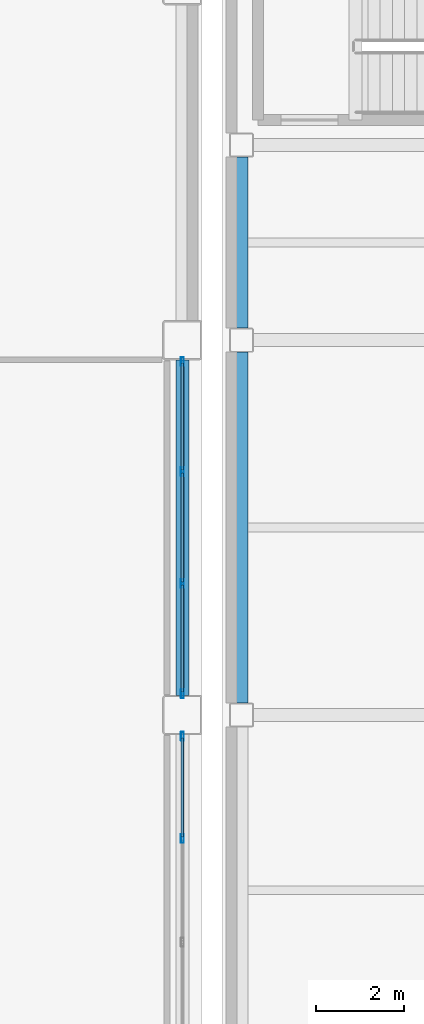
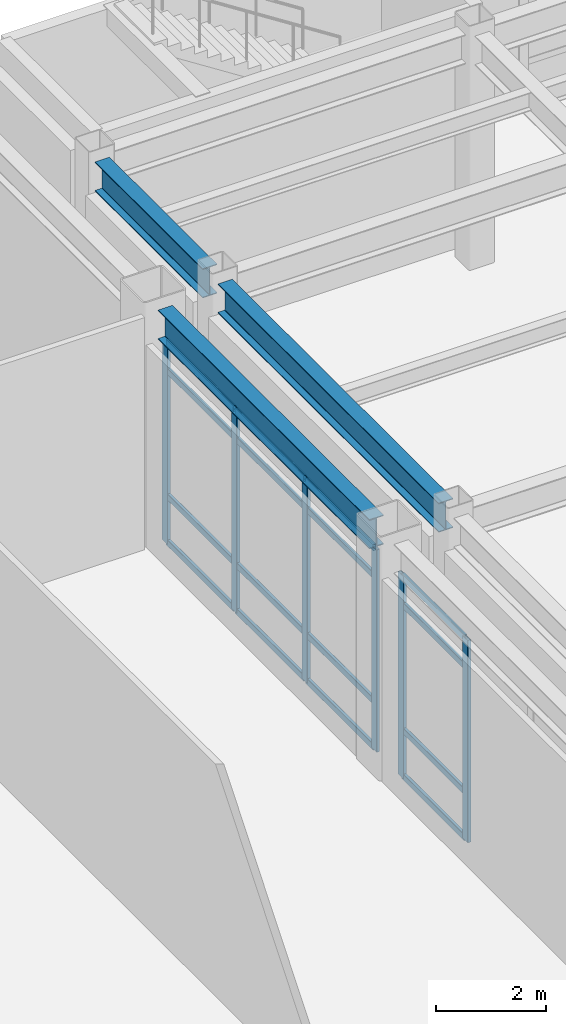
# One storey, part 67 of 165: 22 members, 3 beams, 2 elements without a shape of their own.
"""IFC4 building model written with IfcOpenShell, lengths in metres."""

import ifcopenshell
import ifcopenshell.guid

model = None  # the IFC model being written
_history = None  # IfcOwnerHistory: only IFC2X3 demands one
_inside = {}  # id of a spatial element -> (the spatial element, [elements in it])
_under = {}  # id of a project, library or spatial element -> (it, [spatial elements below it])
_declared = {}  # id of a project -> (the project, [libraries it declares])
_typed = {}  # id of a type object -> (the type object, [elements of that type])
_made_of = {}  # id of a material, layer set ... -> (it, [elements and type objects made of it])


def new_model(schema):
    """Start an empty IFC model of exactly this schema.

    Asked for "IFC4X3", IfcOpenShell would pick the latest addendum, in which some entities
    have other attributes; the version numbers below select the first issue.
    IFC2X3 requires an IfcOwnerHistory on every rooted entity: one is made here for all.
    """
    global model, _history
    if schema == "IFC4X3":
        model = ifcopenshell.file(schema_version=(4, 3, 0, 0))
    else:
        model = ifcopenshell.file(schema=schema)
    _inside.clear()
    _under.clear()
    _declared.clear()
    _typed.clear()
    _made_of.clear()
    _history = None
    if model.schema == "IFC2X3":
        org = make("IfcOrganization", Name="unknown")
        user = make(
            "IfcPersonAndOrganization",
            ThePerson=make("IfcPerson", FamilyName="unknown"),
            TheOrganization=org,
        )
        app = make(
            "IfcApplication",
            ApplicationDeveloper=org,
            Version="unknown",
            ApplicationFullName="unknown",
            ApplicationIdentifier="unknown",
        )
        _history = make(
            "IfcOwnerHistory",
            OwningUser=user,
            OwningApplication=app,
            ChangeAction="ADDED",
            CreationDate=0,
        )
    return model


def make(cls, **values):
    """One entity of the class cls with the attributes given. An attribute that is None is left unset."""
    return model.create_entity(
        cls, **{name: value for name, value in values.items() if value is not None}
    )


def rooted(cls, **values):
    """An entity with a GlobalId (a new one), such as an element, a storey or a relation."""
    return make(cls, GlobalId=ifcopenshell.guid.new(), OwnerHistory=_history, **values)


def si_unit(unit_type, name, prefix=None):
    """IfcSIUnit, for example si_unit("LENGTHUNIT", "METRE", prefix="MILLI")."""
    return make("IfcSIUnit", UnitType=unit_type, Prefix=prefix, Name=name)


def assignment(units):
    """IfcUnitAssignment: the units of a project."""
    return None if units is None else make("IfcUnitAssignment", Units=units)


def point(xyz):
    """IfcCartesianPoint."""
    return None if xyz is None else make("IfcCartesianPoint", Coordinates=xyz)


def direction(xyz):
    """IfcDirection."""
    return None if xyz is None else make("IfcDirection", DirectionRatios=xyz)


def frame(location, z_axis=None, x_axis=None):
    """IfcAxis2Placement3D, a coordinate frame: its origin and axes. An axis left out is left unset."""
    return make(
        "IfcAxis2Placement3D",
        Location=point(location),
        Axis=direction(z_axis),
        RefDirection=direction(x_axis),
    )


def frame_2d(location, x_axis=None):
    """IfcAxis2Placement2D, a coordinate frame in the plane: its origin and x axis."""
    return make(
        "IfcAxis2Placement2D", Location=point(location), RefDirection=direction(x_axis)
    )


def origin():
    """The frame at (0, 0, 0) with its axes left unset."""
    return frame((0.0, 0.0, 0.0))


def origin_2d():
    """The frame at (0, 0) in the plane with its x axis left unset."""
    return frame_2d((0.0, 0.0))


def place(relative_to, where):
    """IfcLocalPlacement: puts the frame where relative to a parent placement (None: the world)."""
    return make(
        "IfcLocalPlacement", PlacementRelTo=relative_to, RelativePlacement=where
    )


def context(
    kind, dimensions, precision=None, world=None, true_north=None, identifier=None
):
    """IfcGeometricRepresentationContext, for example the 3D "Model" context."""
    return make(
        "IfcGeometricRepresentationContext",
        ContextIdentifier=identifier,
        ContextType=kind,
        CoordinateSpaceDimension=dimensions,
        Precision=precision,
        WorldCoordinateSystem=world,
        TrueNorth=true_north,
    )


def subcontext(parent, identifier, kind, view, scale=None):
    """IfcGeometricRepresentationSubContext, for example "Body" below "Model"."""
    return make(
        "IfcGeometricRepresentationSubContext",
        ContextIdentifier=identifier,
        ContextType=kind,
        ParentContext=parent,
        TargetScale=scale,
        TargetView=view,
    )


def project(units=None, contexts=None):
    """IfcProject with its units and contexts."""
    return rooted(
        "IfcProject",
        Name="project",
        RepresentationContexts=contexts,
        UnitsInContext=assignment(units),
    )


def spatial(cls, under=None, at=None, **own):
    """A site, building, storey or space (cls), placed at a placement, below another one or the project."""
    s = rooted(cls, ObjectPlacement=at, **own)
    if under is not None:
        _under.setdefault(under.id(), (under, []))[1].append(s)
    return s


def profile(cls, at=None, kind="AREA", **sizes):
    """A parametric profile (cls). Its sizes go by their IFC names, for example OverallWidth=200.0."""
    return make(cls, ProfileType=kind, Position=at, **sizes)


def hollow_rectangle(**sizes):
    """IfcRectangleHollowProfileDef."""
    return profile("IfcRectangleHollowProfileDef", **sizes)


def i_section(**sizes):
    """IfcIShapeProfileDef."""
    return profile("IfcIShapeProfileDef", **sizes)


def extrude(swept, where, along, depth):
    """IfcExtrudedAreaSolid: the profile swept, set in the frame where, extruded along a direction by depth."""
    return make(
        "IfcExtrudedAreaSolid",
        SweptArea=swept,
        Position=where,
        ExtrudedDirection=direction(along),
        Depth=depth,
    )


def shape(context_of_items, identifier, shape_type, items):
    """IfcShapeRepresentation: the items that make up one representation, for example the "Body"."""
    return make(
        "IfcShapeRepresentation",
        ContextOfItems=context_of_items,
        RepresentationIdentifier=identifier,
        RepresentationType=shape_type,
        Items=items,
    )


def material(Name=None, Category=None):
    """IfcMaterial."""
    return make("IfcMaterial", Name=Name, Category=Category)


def layer(
    of_material, thickness, ventilated=None, Name=None, Category=None, Priority=None
):
    """IfcMaterialLayer: one layer of a wall or slab, of a material (None: an air gap)."""
    return make(
        "IfcMaterialLayer",
        Material=of_material,
        LayerThickness=thickness,
        IsVentilated=ventilated,
        Name=Name,
        Category=Category,
        Priority=Priority,
    )


def layer_set(layers, Name=None):
    """IfcMaterialLayerSet."""
    return make("IfcMaterialLayerSet", MaterialLayers=layers, LayerSetName=Name)


def material_profile(
    of_material, cross_section, Name=None, Category=None, Priority=None
):
    """IfcMaterialProfile: a cross section and its material."""
    return make(
        "IfcMaterialProfile",
        Name=Name,
        Material=of_material,
        Profile=cross_section,
        Priority=Priority,
        Category=Category,
    )


def profile_set(profiles, Name=None, composite=None):
    """IfcMaterialProfileSet."""
    return make(
        "IfcMaterialProfileSet",
        Name=Name,
        MaterialProfiles=profiles,
        CompositeProfile=composite,
    )


def made_of(thing, what):
    """Note that an element or type object is made of a material, layer set ...; save() writes the relation."""
    if what is not None:
        _made_of.setdefault(what.id(), (what, []))[1].append(thing)
    return thing


def type_object(cls, material=None, **own):
    """A type object (cls), such as IfcWallType, which elements share."""
    return made_of(rooted(cls, **own), material)


def element(
    cls,
    number,
    at=None,
    inside=None,
    cuts=None,
    type_object=None,
    material=None,
    context=None,
    identifier="Body",
    shape_type=None,
    held_by="IfcProductDefinitionShape",
    body=None,
    shapes=None,
    **own,
):
    """One element of the class cls, such as IfcWall. Its Tag is "e" and its number.

    at: its placement. inside: the storey or other place that contains it. cuts: it is an
    opening in that element (IfcRelVoidsElement). A single representation is given by context,
    identifier, shape_type and body (its items); several are given by shapes. held_by: the class
    of the entity that holds the representations. save() writes the other relations.
    """
    e = rooted(cls, Tag="e%d" % number, ObjectPlacement=at, **own)
    if body is not None:
        shapes = [shape(context, identifier, shape_type, body)]
    if shapes is not None:
        e.Representation = make(held_by, Representations=shapes)
    if inside is not None:
        _inside.setdefault(inside.id(), (inside, []))[1].append(e)
    if cuts is not None:
        rooted(
            "IfcRelVoidsElement", RelatingBuildingElement=cuts, RelatedOpeningElement=e
        )
    if type_object is not None:
        _typed.setdefault(type_object.id(), (type_object, []))[1].append(e)
    return made_of(e, material)


def aggregate(whole, parts):
    """IfcRelAggregates: a whole, such as a stair, and the parts it consists of."""
    return rooted("IfcRelAggregates", RelatingObject=whole, RelatedObjects=parts)


def save(model, path):
    """Write the relations noted so far, then the file.

    IfcRelAggregates (storeys below a building ...), IfcRelContainedInSpatialStructure (elements
    in a storey), IfcRelDefinesByType, IfcRelAssociatesMaterial and IfcRelDeclares: one each for
    every whole, place, type object, material and project.
    """
    for whole, parts in _under.values():
        aggregate(whole, parts)
    for where, things in _inside.values():
        rooted(
            "IfcRelContainedInSpatialStructure",
            RelatedElements=things,
            RelatingStructure=where,
        )
    for kind, things in _typed.values():
        rooted("IfcRelDefinesByType", RelatedObjects=things, RelatingType=kind)
    for what, things in _made_of.values():
        rooted("IfcRelAssociatesMaterial", RelatedObjects=things, RelatingMaterial=what)
    for by, libraries in _declared.values():
        rooted("IfcRelDeclares", RelatingContext=by, RelatedDefinitions=libraries)
    model.write(path)


model = new_model("IFC4")

# Units and contexts
model_context = context("Model", 3, precision=1e-05, world=origin(), true_north=direction((0.0, 1.0)))
body_context = subcontext(model_context, "Body", "Model", "MODEL_VIEW")
ifc_project = project(units=[si_unit("LENGTHUNIT", "METRE"), si_unit("AREAUNIT", "SQUARE_METRE"), si_unit("VOLUMEUNIT", "CUBIC_METRE"), si_unit("PLANEANGLEUNIT", "RADIAN"), si_unit("MASSUNIT", "GRAM", prefix="KILO")], contexts=[model_context])

# Site, building, storey
site_placement = place(None, origin())
site = spatial("IfcSite", under=ifc_project, at=site_placement, CompositionType="ELEMENT")
building_placement = place(site_placement, origin())
building = spatial("IfcBuilding", under=site, at=building_placement, Name="Kazehara Bluff Congress Hotel", CompositionType="ELEMENT")
storey_placement = place(building_placement, origin())
storey = spatial("IfcBuildingStorey", under=building, at=storey_placement, Name="L00", CompositionType="ELEMENT", Elevation=0.0)

# Curtain wall, members
ifc_material_1 = material(Name="Anodised aluminium", Category="aluminium")
ifc_layer_1 = layer(ifc_material_1, 0.159912109375)
ifc_layer_set_1 = layer_set([ifc_layer_1], Name="Anodised aluminium")
curtain_wall_type_1 = type_object("IfcCurtainWallType", Name="TP-CW-17", PredefinedType="NOTDEFINED", material=ifc_layer_set_1)
curtain_wall_1_placement = place(storey_placement, origin())
curtain_wall_1 = element("IfcCurtainWall", 1, at=curtain_wall_1_placement, inside=storey, type_object=curtain_wall_type_1, Name="L00 curtain wall CW-17 CW-V1-L00-X5835-8935", PredefinedType="NOTDEFINED")
ifc_material_2 = material(Name="Anodised aluminium", Category="aluminium")
ifc_material_profile_1 = material_profile(ifc_material_2, hollow_rectangle(XDim=0.070068359375, YDim=0.199951171875, WallThickness=0.0048828125, InnerFilletRadius=0.0048828125, OuterFilletRadius=0.010009765625, at=origin_2d()))
ifc_profile_set_1 = profile_set([ifc_material_profile_1], Name="Anodised aluminium")
member_type_1 = type_object("IfcMemberType", Name="TP-CWM-03", PredefinedType="MULLION", material=ifc_profile_set_1)
member_1_placement = place(storey_placement, frame((58.35009765625, 94.083251953125, 0.0), z_axis=(0.0, 0.0, 1.0), x_axis=(-1.0, 0.0, 0.0)))
member_1 = element("IfcMember", 2, at=member_1_placement, type_object=member_type_1, Name="CW-17 mullion 3", PredefinedType="MULLION", context=body_context, shape_type="SweptSolid", body=[
    extrude(hollow_rectangle(XDim=0.070068359375, YDim=0.199951171875, WallThickness=0.0048828125, InnerFilletRadius=0.0048828125, OuterFilletRadius=0.010009765625, at=origin_2d()), origin(), (0.0, 0.0, 1.0), 4.47509765625),
])
member_2_placement = place(storey_placement, frame((58.35009765625, 96.4150390625, 0.0), z_axis=(0.0, 0.0, 1.0), x_axis=(-1.0, 0.0, 0.0)))
member_2 = element("IfcMember", 3, at=member_2_placement, type_object=member_type_1, Name="CW-17 mullion 4", PredefinedType="MULLION", context=body_context, shape_type="SweptSolid", body=[
    extrude(hollow_rectangle(XDim=0.070068359375, YDim=0.199951171875, WallThickness=0.0048828125, InnerFilletRadius=0.0048828125, OuterFilletRadius=0.010009765625, at=origin_2d()), origin(), (0.0, 0.0, 1.0), 4.47509765625),
])

ifc_material_3 = material(Name="Anodised aluminium", Category="aluminium")
ifc_layer_2 = layer(ifc_material_3, 0.159912109375)
ifc_layer_set_2 = layer_set([ifc_layer_2], Name="Anodised aluminium")
curtain_wall_type_2 = type_object("IfcCurtainWallType", Name="TP-CW-19", PredefinedType="NOTDEFINED", material=ifc_layer_set_2)
curtain_wall_2_placement = place(storey_placement, origin())
curtain_wall_2 = element("IfcCurtainWall", 4, at=curtain_wall_2_placement, inside=storey, type_object=curtain_wall_type_2, Name="L00 curtain wall CW-19 CW-V1-L00-X5835-9735", PredefinedType="NOTDEFINED")
member_3_placement = place(storey_placement, frame((58.35009765625, 97.385009765625, 0.0), z_axis=(0.0, 0.0, 1.0), x_axis=(-1.0, 0.0, 0.0)))
member_3 = element("IfcMember", 5, at=member_3_placement, type_object=member_type_1, Name="CW-19 mullion 1", PredefinedType="MULLION", context=body_context, shape_type="SweptSolid", body=[
    extrude(hollow_rectangle(XDim=0.070068359375, YDim=0.199951171875, WallThickness=0.0048828125, InnerFilletRadius=0.0048828125, OuterFilletRadius=0.010009765625, at=origin_2d()), origin(), (0.0, 0.0, 1.0), 4.47509765625),
])
member_4_placement = place(storey_placement, frame((58.35009765625, 99.89990234375, 0.0), z_axis=(0.0, 0.0, 1.0), x_axis=(-1.0, 0.0, 0.0)))
member_4 = element("IfcMember", 6, at=member_4_placement, type_object=member_type_1, Name="CW-19 mullion 2", PredefinedType="MULLION", context=body_context, shape_type="SweptSolid", body=[
    extrude(hollow_rectangle(XDim=0.070068359375, YDim=0.199951171875, WallThickness=0.0048828125, InnerFilletRadius=0.0048828125, OuterFilletRadius=0.010009765625, at=origin_2d()), origin(), (0.0, 0.0, 1.0), 4.47509765625),
])
member_5_placement = place(storey_placement, frame((58.35009765625, 102.449951171875, 0.0), z_axis=(0.0, 0.0, 1.0), x_axis=(-1.0, 0.0, 0.0)))
member_5 = element("IfcMember", 7, at=member_5_placement, type_object=member_type_1, Name="CW-19 mullion 3", PredefinedType="MULLION", context=body_context, shape_type="SweptSolid", body=[
    extrude(hollow_rectangle(XDim=0.070068359375, YDim=0.199951171875, WallThickness=0.0048828125, InnerFilletRadius=0.0048828125, OuterFilletRadius=0.010009765625, at=origin_2d()), origin(), (0.0, 0.0, 1.0), 4.47509765625),
])
member_6_placement = place(storey_placement, frame((58.35009765625, 104.965087890625, 0.0), z_axis=(0.0, 0.0, 1.0), x_axis=(-1.0, 0.0, 0.0)))
member_6 = element("IfcMember", 8, at=member_6_placement, type_object=member_type_1, Name="CW-19 mullion 4", PredefinedType="MULLION", context=body_context, shape_type="SweptSolid", body=[
    extrude(hollow_rectangle(XDim=0.070068359375, YDim=0.199951171875, WallThickness=0.0048828125, InnerFilletRadius=0.0048828125, OuterFilletRadius=0.010009765625, at=origin_2d()), origin(), (0.0, 0.0, 1.0), 4.47509765625),
])

# Member
ifc_material_4 = material(Name="Anodised aluminium", Category="aluminium")
ifc_material_profile_2 = material_profile(ifc_material_4, hollow_rectangle(XDim=0.06494140625, YDim=0.139892578125, WallThickness=0.00390625, InnerFilletRadius=0.00390625, OuterFilletRadius=0.008056640625, at=origin_2d()))
ifc_profile_set_2 = profile_set([ifc_material_profile_2], Name="Anodised aluminium")
member_type_2 = type_object("IfcMemberType", Name="TP-CWT-02", PredefinedType="USERDEFINED", material=ifc_profile_set_2)
member_7_placement = place(storey_placement, frame((58.35009765625, 94.118408203125, 0.032470703125), z_axis=(0.0, 1.0, 0.0), x_axis=(-1.0, 0.0, 0.0)))
member_7 = element("IfcMember", 9, at=member_7_placement, type_object=member_type_2, Name="CW-17 transom 3.1", ObjectType="TRANSOM", PredefinedType="USERDEFINED", context=body_context, shape_type="SweptSolid", body=[
    extrude(hollow_rectangle(XDim=0.06494140625, YDim=0.139892578125, WallThickness=0.00390625, InnerFilletRadius=0.00390625, OuterFilletRadius=0.008056640625, at=origin_2d()), origin(), (0.0, 0.0, 1.0), 2.261474609375),
])

member_8_placement = place(storey_placement, frame((58.35009765625, 94.118408203125, 1.050048828125), z_axis=(0.0, 1.0, 0.0), x_axis=(-1.0, 0.0, 0.0)))
member_8 = element("IfcMember", 10, at=member_8_placement, type_object=member_type_2, Name="CW-17 transom 3.2", ObjectType="TRANSOM", PredefinedType="USERDEFINED", context=body_context, shape_type="SweptSolid", body=[
    extrude(hollow_rectangle(XDim=0.06494140625, YDim=0.139892578125, WallThickness=0.00390625, InnerFilletRadius=0.00390625, OuterFilletRadius=0.008056640625, at=origin_2d()), origin(), (0.0, 0.0, 1.0), 2.261474609375),
])

member_9_placement = place(storey_placement, frame((58.35009765625, 94.118408203125, 3.824951171875), z_axis=(0.0, 1.0, 0.0), x_axis=(-1.0, 0.0, 0.0)))
member_9 = element("IfcMember", 11, at=member_9_placement, type_object=member_type_2, Name="CW-17 transom 3.3", ObjectType="TRANSOM", PredefinedType="USERDEFINED", context=body_context, shape_type="SweptSolid", body=[
    extrude(hollow_rectangle(XDim=0.06494140625, YDim=0.139892578125, WallThickness=0.00390625, InnerFilletRadius=0.00390625, OuterFilletRadius=0.008056640625, at=origin_2d()), origin(), (0.0, 0.0, 1.0), 2.261474609375),
])

member_10_placement = place(storey_placement, frame((58.35009765625, 94.118408203125, 4.4423828125), z_axis=(0.0, 1.0, 0.0), x_axis=(-1.0, 0.0, 0.0)))
member_10 = element("IfcMember", 12, at=member_10_placement, type_object=member_type_2, Name="CW-17 transom 3.4", ObjectType="TRANSOM", PredefinedType="USERDEFINED", context=body_context, shape_type="SweptSolid", body=[
    extrude(hollow_rectangle(XDim=0.06494140625, YDim=0.139892578125, WallThickness=0.00390625, InnerFilletRadius=0.00390625, OuterFilletRadius=0.008056640625, at=origin_2d()), origin(), (0.0, 0.0, 1.0), 2.261474609375),
])

aggregate(curtain_wall_1, [member_1, member_2, member_7, member_8, member_9, member_10])

member_11_placement = place(storey_placement, frame((58.35009765625, 97.419921875, 0.032470703125), z_axis=(0.0, 1.0, 0.0), x_axis=(-1.0, 0.0, 0.0)))
member_11 = element("IfcMember", 13, at=member_11_placement, type_object=member_type_2, Name="CW-19 transom 1.1", ObjectType="TRANSOM", PredefinedType="USERDEFINED", context=body_context, shape_type="SweptSolid", body=[
    extrude(hollow_rectangle(XDim=0.06494140625, YDim=0.139892578125, WallThickness=0.00390625, InnerFilletRadius=0.00390625, OuterFilletRadius=0.008056640625, at=origin_2d()), origin(), (0.0, 0.0, 1.0), 2.445068359375),
])

member_12_placement = place(storey_placement, frame((58.35009765625, 97.419921875, 1.050048828125), z_axis=(0.0, 1.0, 0.0), x_axis=(-1.0, 0.0, 0.0)))
member_12 = element("IfcMember", 14, at=member_12_placement, type_object=member_type_2, Name="CW-19 transom 1.2", ObjectType="TRANSOM", PredefinedType="USERDEFINED", context=body_context, shape_type="SweptSolid", body=[
    extrude(hollow_rectangle(XDim=0.06494140625, YDim=0.139892578125, WallThickness=0.00390625, InnerFilletRadius=0.00390625, OuterFilletRadius=0.008056640625, at=origin_2d()), origin(), (0.0, 0.0, 1.0), 2.445068359375),
])

member_13_placement = place(storey_placement, frame((58.35009765625, 97.419921875, 3.824951171875), z_axis=(0.0, 1.0, 0.0), x_axis=(-1.0, 0.0, 0.0)))
member_13 = element("IfcMember", 15, at=member_13_placement, type_object=member_type_2, Name="CW-19 transom 1.3", ObjectType="TRANSOM", PredefinedType="USERDEFINED", context=body_context, shape_type="SweptSolid", body=[
    extrude(hollow_rectangle(XDim=0.06494140625, YDim=0.139892578125, WallThickness=0.00390625, InnerFilletRadius=0.00390625, OuterFilletRadius=0.008056640625, at=origin_2d()), origin(), (0.0, 0.0, 1.0), 2.445068359375),
])

member_14_placement = place(storey_placement, frame((58.35009765625, 97.419921875, 4.4423828125), z_axis=(0.0, 1.0, 0.0), x_axis=(-1.0, 0.0, 0.0)))
member_14 = element("IfcMember", 16, at=member_14_placement, type_object=member_type_2, Name="CW-19 transom 1.4", ObjectType="TRANSOM", PredefinedType="USERDEFINED", context=body_context, shape_type="SweptSolid", body=[
    extrude(hollow_rectangle(XDim=0.06494140625, YDim=0.139892578125, WallThickness=0.00390625, InnerFilletRadius=0.00390625, OuterFilletRadius=0.008056640625, at=origin_2d()), origin(), (0.0, 0.0, 1.0), 2.445068359375),
])

member_15_placement = place(storey_placement, frame((58.35009765625, 99.93505859375, 0.032470703125), z_axis=(0.0, 1.0, 0.0), x_axis=(-1.0, 0.0, 0.0)))
member_15 = element("IfcMember", 17, at=member_15_placement, type_object=member_type_2, Name="CW-19 transom 2.1", ObjectType="TRANSOM", PredefinedType="USERDEFINED", context=body_context, shape_type="SweptSolid", body=[
    extrude(hollow_rectangle(XDim=0.06494140625, YDim=0.139892578125, WallThickness=0.00390625, InnerFilletRadius=0.00390625, OuterFilletRadius=0.008056640625, at=origin_2d()), origin(), (0.0, 0.0, 1.0), 2.47998046875),
])

member_16_placement = place(storey_placement, frame((58.35009765625, 99.93505859375, 1.050048828125), z_axis=(0.0, 1.0, 0.0), x_axis=(-1.0, 0.0, 0.0)))
member_16 = element("IfcMember", 18, at=member_16_placement, type_object=member_type_2, Name="CW-19 transom 2.2", ObjectType="TRANSOM", PredefinedType="USERDEFINED", context=body_context, shape_type="SweptSolid", body=[
    extrude(hollow_rectangle(XDim=0.06494140625, YDim=0.139892578125, WallThickness=0.00390625, InnerFilletRadius=0.00390625, OuterFilletRadius=0.008056640625, at=origin_2d()), origin(), (0.0, 0.0, 1.0), 2.47998046875),
])

member_17_placement = place(storey_placement, frame((58.35009765625, 99.93505859375, 3.824951171875), z_axis=(0.0, 1.0, 0.0), x_axis=(-1.0, 0.0, 0.0)))
member_17 = element("IfcMember", 19, at=member_17_placement, type_object=member_type_2, Name="CW-19 transom 2.3", ObjectType="TRANSOM", PredefinedType="USERDEFINED", context=body_context, shape_type="SweptSolid", body=[
    extrude(hollow_rectangle(XDim=0.06494140625, YDim=0.139892578125, WallThickness=0.00390625, InnerFilletRadius=0.00390625, OuterFilletRadius=0.008056640625, at=origin_2d()), origin(), (0.0, 0.0, 1.0), 2.47998046875),
])

member_18_placement = place(storey_placement, frame((58.35009765625, 99.93505859375, 4.4423828125), z_axis=(0.0, 1.0, 0.0), x_axis=(-1.0, 0.0, 0.0)))
member_18 = element("IfcMember", 20, at=member_18_placement, type_object=member_type_2, Name="CW-19 transom 2.4", ObjectType="TRANSOM", PredefinedType="USERDEFINED", context=body_context, shape_type="SweptSolid", body=[
    extrude(hollow_rectangle(XDim=0.06494140625, YDim=0.139892578125, WallThickness=0.00390625, InnerFilletRadius=0.00390625, OuterFilletRadius=0.008056640625, at=origin_2d()), origin(), (0.0, 0.0, 1.0), 2.47998046875),
])

member_19_placement = place(storey_placement, frame((58.35009765625, 102.485107421875, 0.032470703125), z_axis=(0.0, 1.0, 0.0), x_axis=(-1.0, 0.0, 0.0)))
member_19 = element("IfcMember", 21, at=member_19_placement, type_object=member_type_2, Name="CW-19 transom 3.1", ObjectType="TRANSOM", PredefinedType="USERDEFINED", context=body_context, shape_type="SweptSolid", body=[
    extrude(hollow_rectangle(XDim=0.06494140625, YDim=0.139892578125, WallThickness=0.00390625, InnerFilletRadius=0.00390625, OuterFilletRadius=0.008056640625, at=origin_2d()), origin(), (0.0, 0.0, 1.0), 2.44482421875),
])

member_20_placement = place(storey_placement, frame((58.35009765625, 102.485107421875, 1.050048828125), z_axis=(0.0, 1.0, 0.0), x_axis=(-1.0, 0.0, 0.0)))
member_20 = element("IfcMember", 22, at=member_20_placement, type_object=member_type_2, Name="CW-19 transom 3.2", ObjectType="TRANSOM", PredefinedType="USERDEFINED", context=body_context, shape_type="SweptSolid", body=[
    extrude(hollow_rectangle(XDim=0.06494140625, YDim=0.139892578125, WallThickness=0.00390625, InnerFilletRadius=0.00390625, OuterFilletRadius=0.008056640625, at=origin_2d()), origin(), (0.0, 0.0, 1.0), 2.44482421875),
])

member_21_placement = place(storey_placement, frame((58.35009765625, 102.485107421875, 3.824951171875), z_axis=(0.0, 1.0, 0.0), x_axis=(-1.0, 0.0, 0.0)))
member_21 = element("IfcMember", 23, at=member_21_placement, type_object=member_type_2, Name="CW-19 transom 3.3", ObjectType="TRANSOM", PredefinedType="USERDEFINED", context=body_context, shape_type="SweptSolid", body=[
    extrude(hollow_rectangle(XDim=0.06494140625, YDim=0.139892578125, WallThickness=0.00390625, InnerFilletRadius=0.00390625, OuterFilletRadius=0.008056640625, at=origin_2d()), origin(), (0.0, 0.0, 1.0), 2.44482421875),
])

member_22_placement = place(storey_placement, frame((58.35009765625, 102.485107421875, 4.4423828125), z_axis=(0.0, 1.0, 0.0), x_axis=(-1.0, 0.0, 0.0)))
member_22 = element("IfcMember", 24, at=member_22_placement, type_object=member_type_2, Name="CW-19 transom 3.4", ObjectType="TRANSOM", PredefinedType="USERDEFINED", context=body_context, shape_type="SweptSolid", body=[
    extrude(hollow_rectangle(XDim=0.06494140625, YDim=0.139892578125, WallThickness=0.00390625, InnerFilletRadius=0.00390625, OuterFilletRadius=0.008056640625, at=origin_2d()), origin(), (0.0, 0.0, 1.0), 2.44482421875),
])

aggregate(curtain_wall_2, [member_3, member_4, member_5, member_6, member_11, member_12, member_13, member_14, member_15, member_16, member_17, member_18, member_19, member_20, member_21, member_22])

# Beams
ifc_material_5 = material(Name="Steel SN490B", Category="steel")
ifc_material_profile_3 = material_profile(ifc_material_5, i_section(OverallWidth=0.300048828125, OverallDepth=0.64990234375, WebThickness=0.011962890625, FlangeThickness=0.02001953125, FilletRadius=0.012939453125, at=origin_2d()))
ifc_profile_set_3 = profile_set([ifc_material_profile_3], Name="Steel SN490B")
beam_type = type_object("IfcBeamType", Name="TP-G-03", PredefinedType="BEAM", material=ifc_profile_set_3)
beam_1_placement = place(storey_placement, frame((58.35009765625, 97.35009765625, 4.824951171875), z_axis=(0.0, 1.0, 0.0), x_axis=(-1.0, 0.0, 0.0)))
element("IfcBeam", 25, at=beam_1_placement, inside=storey, type_object=beam_type, Name="L00 girder G-03 23", PredefinedType="BEAM", context=body_context, shape_type="SweptSolid", body=[
    extrude(i_section(OverallWidth=0.300048828125, OverallDepth=0.64990234375, WebThickness=0.011962890625, FlangeThickness=0.02001953125, FilletRadius=0.012939453125, at=origin_2d()), origin(), (0.0, 0.0, 1.0), 7.64990234375),
])
beam_2_placement = place(storey_placement, frame((59.699951171875, 97.175048828125, 4.824951171875), z_axis=(0.0, 1.0, 0.0), x_axis=(-1.0, 0.0, 0.0)))
element("IfcBeam", 26, at=beam_2_placement, inside=storey, type_object=beam_type, Name="L00 girder G-03 101", PredefinedType="BEAM", context=body_context, shape_type="SweptSolid", body=[
    extrude(i_section(OverallWidth=0.300048828125, OverallDepth=0.64990234375, WebThickness=0.011962890625, FlangeThickness=0.02001953125, FilletRadius=0.012939453125, at=origin_2d()), origin(), (0.0, 0.0, 1.0), 8.0),
])
beam_3_placement = place(storey_placement, frame((59.699951171875, 105.72509765625, 4.824951171875), z_axis=(0.0, 1.0, 0.0), x_axis=(-1.0, 0.0, 0.0)))
element("IfcBeam", 27, at=beam_3_placement, inside=storey, type_object=beam_type, Name="L00 girder G-03 102", PredefinedType="BEAM", context=body_context, shape_type="SweptSolid", body=[
    extrude(i_section(OverallWidth=0.300048828125, OverallDepth=0.64990234375, WebThickness=0.011962890625, FlangeThickness=0.02001953125, FilletRadius=0.012939453125, at=origin_2d()), origin(), (0.0, 0.0, 1.0), 3.89990234375),
])

save(model, "model.ifc")
